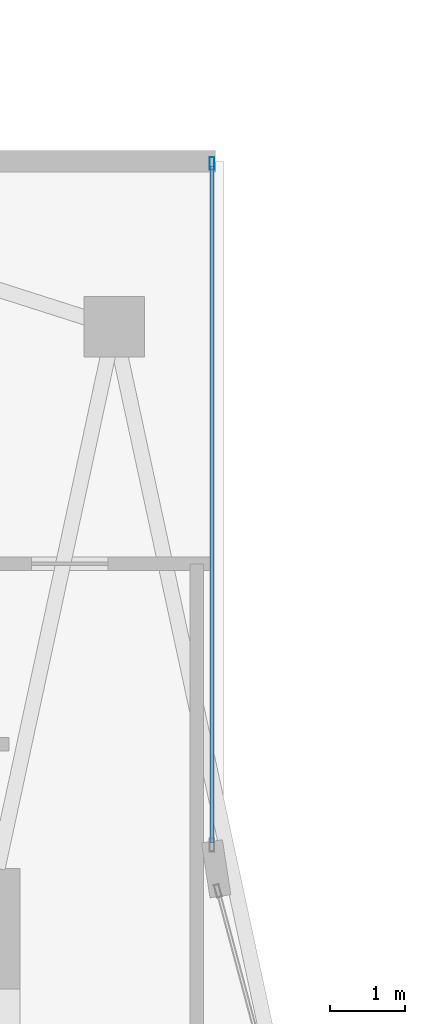
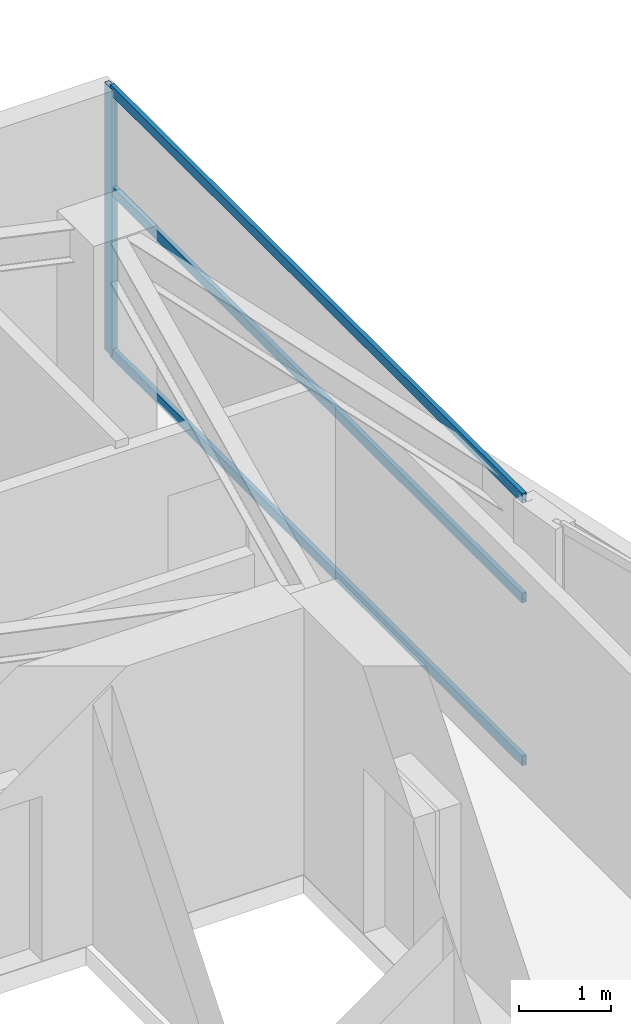
# One storey, part 20 of 28: 4 members, 1 element without a shape of its own.
"""IFC4 building model written with IfcOpenShell, lengths in metres."""

from ifc_helpers import new_model, si_unit, direction, frame, origin, origin_2d, place, context, subcontext, project, spatial, hollow_rectangle, extrude, material, layer, layer_set, material_profile, profile_set, type_object, element, aggregate, save


model = new_model("IFC4")

# Units and contexts
model_context = context("Model", 3, precision=1e-05, world=origin(), true_north=direction((0.0, 1.0)))
body_context = subcontext(model_context, "Body", "Model", "MODEL_VIEW")
ifc_project = project(units=[si_unit("LENGTHUNIT", "METRE"), si_unit("AREAUNIT", "SQUARE_METRE"), si_unit("VOLUMEUNIT", "CUBIC_METRE"), si_unit("PLANEANGLEUNIT", "RADIAN"), si_unit("MASSUNIT", "GRAM", prefix="KILO")], contexts=[model_context])

# Site, building, storey
site_placement = place(None, origin())
site = spatial("IfcSite", under=ifc_project, at=site_placement, CompositionType="ELEMENT")
building_placement = place(site_placement, origin())
building = spatial("IfcBuilding", under=site, at=building_placement, Name="Calvorn Quay Hotel", CompositionType="ELEMENT")
storey_placement = place(building_placement, frame((0.0, 0.0, 274.89990234375)))
storey = spatial("IfcBuildingStorey", under=building, at=storey_placement, Name="L68", CompositionType="ELEMENT", Elevation=274.89990234375)

# Curtain wall, members
ifc_material_1 = material(Name="Champagne Bronze Anodised Aluminium and Low-E Glass", Category="aluminium")
ifc_layer = layer(ifc_material_1, 0.219970703125)
ifc_layer_set = layer_set([ifc_layer], Name="CW-SYS-Z4")
curtain_wall_type = type_object("IfcCurtainWallType", Name="CW-SYS-Z4", PredefinedType="NOTDEFINED", material=ifc_layer_set)
curtain_wall_placement = place(storey_placement, origin())
curtain_wall = element("IfcCurtainWall", 1, at=curtain_wall_placement, inside=storey, type_object=curtain_wall_type, Name="Inner Court Curtain Wall L68-IC2", PredefinedType="NOTDEFINED")
ifc_material_2 = material(Name="Champagne Bronze Anodised Aluminium 6063-T6", Category="aluminium")
ifc_material_profile_1 = material_profile(ifc_material_2, hollow_rectangle(XDim=0.06494140625, YDim=0.169921875, WallThickness=0.00341796875, at=origin_2d()), Name="ALU-M170x65x3.5")
ifc_profile_set_1 = profile_set([ifc_material_profile_1], Name="Champagne Bronze Anodised Aluminium 6063-T6")
member_type_1 = type_object("IfcMemberType", Name="CW-SYS-Z4-MUL", PredefinedType="MULLION", material=ifc_profile_set_1)
member_1_placement = place(storey_placement, frame((17.85009765625, 47.77001953125, 0.0), z_axis=(0.0, 0.0, 1.0), x_axis=(-1.0, 0.0, 0.0)))
member_1 = element("IfcMember", 2, at=member_1_placement, type_object=member_type_1, Name="CW-L68-IC2 mullion 2", PredefinedType="MULLION", context=body_context, shape_type="SweptSolid", body=[
    extrude(hollow_rectangle(XDim=0.06494140625, YDim=0.169921875, WallThickness=0.00341796875, at=origin_2d()), origin(), (0.0, 0.0, 1.0), 3.56005859375),
])
ifc_material_3 = material(Name="Champagne Bronze Anodised Aluminium 6063-T6", Category="aluminium")
ifc_material_profile_2 = material_profile(ifc_material_3, hollow_rectangle(XDim=0.054931640625, YDim=0.1298828125, WallThickness=0.003173828125, at=origin_2d()), Name="ALU-T130x55x3.2")
ifc_profile_set_2 = profile_set([ifc_material_profile_2], Name="Champagne Bronze Anodised Aluminium 6063-T6")
member_type_2 = type_object("IfcMemberType", Name="CW-SYS-Z4-TRN", PredefinedType="USERDEFINED", material=ifc_profile_set_2)
member_2_placement = place(storey_placement, frame((17.85009765625, 38.739990234375, 0.030029296875), z_axis=(0.0, 1.0, 0.0), x_axis=(-1.0, 0.0, 0.0)))
member_2 = element("IfcMember", 3, at=member_2_placement, type_object=member_type_2, Name="CW-L68-IC2 transom 1.1", ObjectType="TRANSOM", PredefinedType="USERDEFINED", context=body_context, shape_type="SweptSolid", body=[
    extrude(hollow_rectangle(XDim=0.054931640625, YDim=0.1298828125, WallThickness=0.003173828125, at=origin_2d()), origin(), (0.0, 0.0, 1.0), 9.0),
])
member_3_placement = place(storey_placement, frame((17.85009765625, 38.739990234375, 2.2001953125), z_axis=(0.0, 1.0, 0.0), x_axis=(-1.0, 0.0, 0.0)))
member_3 = element("IfcMember", 4, at=member_3_placement, type_object=member_type_2, Name="CW-L68-IC2 transom 1.2", ObjectType="TRANSOM", PredefinedType="USERDEFINED", context=body_context, shape_type="SweptSolid", body=[
    extrude(hollow_rectangle(XDim=0.054931640625, YDim=0.1298828125, WallThickness=0.003173828125, at=origin_2d()), origin(), (0.0, 0.0, 1.0), 9.0),
])
member_4_placement = place(storey_placement, frame((17.85009765625, 38.739990234375, 3.530029296875), z_axis=(0.0, 1.0, 0.0), x_axis=(-1.0, 0.0, 0.0)))
member_4 = element("IfcMember", 5, at=member_4_placement, type_object=member_type_2, Name="CW-L68-IC2 transom 1.3", ObjectType="TRANSOM", PredefinedType="USERDEFINED", context=body_context, shape_type="SweptSolid", body=[
    extrude(hollow_rectangle(XDim=0.054931640625, YDim=0.1298828125, WallThickness=0.003173828125, at=origin_2d()), origin(), (0.0, 0.0, 1.0), 9.0),
])
aggregate(curtain_wall, [member_1, member_2, member_3, member_4])

save(model, "model.ifc")
